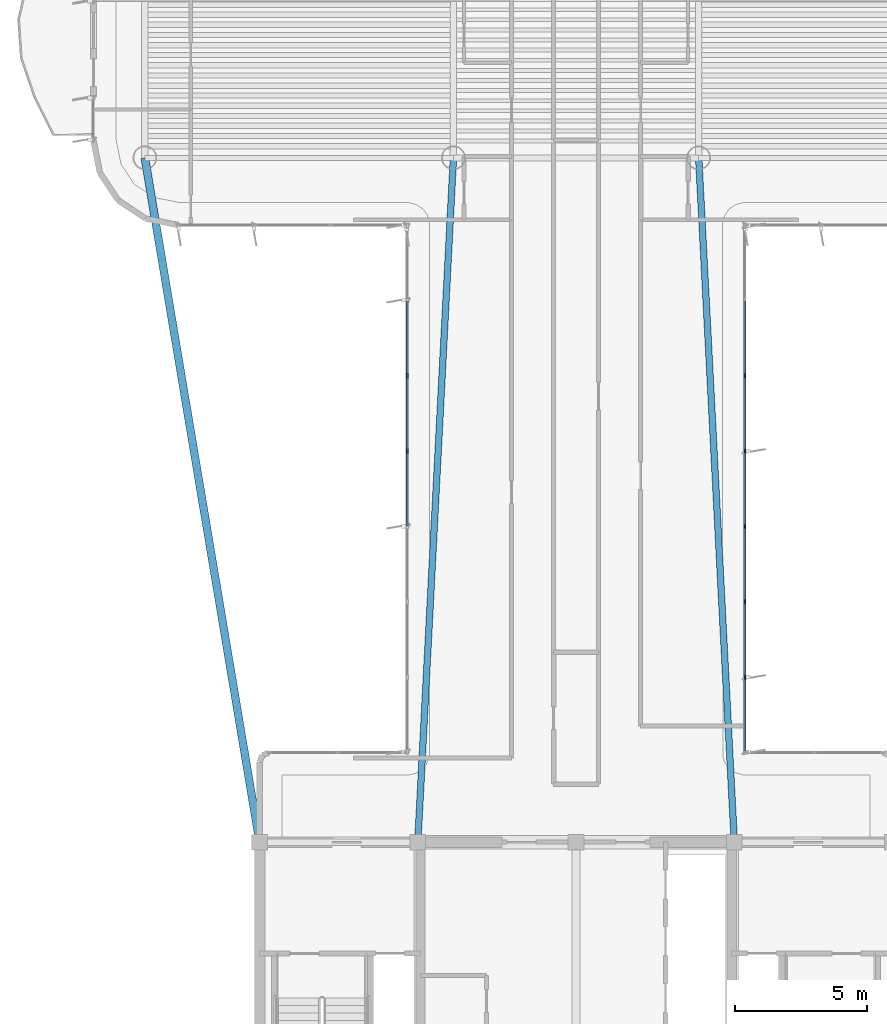
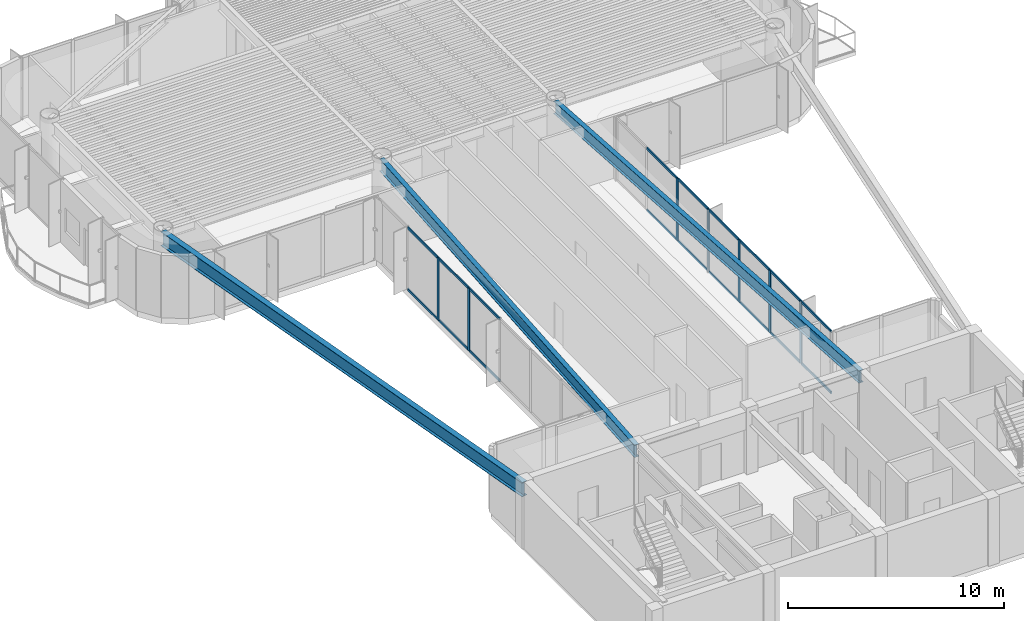
# One storey, part 3 of 16: 25 members, 3 beams, 2 elements without a shape of their own.
"""IFC4 building model written with IfcOpenShell, lengths in metres."""

from ifc_helpers import new_model, si_unit, direction, frame, origin, origin_2d, place, context, subcontext, project, spatial, rectangle, i_section, extrude, source, transform, mapped, material, layer, layer_set, material_profile, profile_set, type_object, element, aggregate, save


model = new_model("IFC4")

# Units and contexts
model_context = context("Model", 3, precision=1e-05, world=origin(), true_north=direction((0.0, 1.0)))
body_context = subcontext(model_context, "Body", "Model", "MODEL_VIEW")
ifc_project = project(units=[si_unit("LENGTHUNIT", "METRE"), si_unit("AREAUNIT", "SQUARE_METRE"), si_unit("VOLUMEUNIT", "CUBIC_METRE"), si_unit("PLANEANGLEUNIT", "RADIAN"), si_unit("MASSUNIT", "GRAM", prefix="KILO")], contexts=[model_context])

# Site, building, storey
site_placement = place(None, origin())
site = spatial("IfcSite", under=ifc_project, at=site_placement, CompositionType="ELEMENT")
building_placement = place(site_placement, origin())
building = spatial("IfcBuilding", under=site, at=building_placement, Name="Brelvock Crest Care Tower", CompositionType="ELEMENT")
storey_placement = place(building_placement, frame((0.0, 0.0, 223.02001953125)))
storey = spatial("IfcBuildingStorey", under=building, at=storey_placement, Name="L56", CompositionType="ELEMENT", Elevation=223.02001953125)

# Beams
ifc_material_1 = material(Name="Steel Grade 350", Category="steel")
ifc_material_profile_1 = material_profile(ifc_material_1, i_section(OverallWidth=0.25, OverallDepth=0.699951171875, WebThickness=0.011962890625, FlangeThickness=0.02001953125, at=origin_2d()), Name="700WB150")
ifc_profile_set_1 = profile_set([ifc_material_profile_1], Name="Steel Grade 350")
beam_type_1 = type_object("IfcBeamType", Name="BM-G4", PredefinedType="BEAM", material=ifc_profile_set_1)
shared_shape_1 = source(origin(), body_context, "Body", "SweptSolid", [
    extrude(i_section(OverallWidth=0.25, OverallDepth=0.699951171875, WebThickness=0.011962890625, FlangeThickness=0.02001953125, at=origin_2d()), origin(), (0.0, 0.0, 1.0), 25.985107421875),
])
for number, where, z_axis, x_axis, name in (
    (1, (30.0, 18.0, 3.179931640625), (0.051956711656, 0.998649337913, 0.0), (-0.998649337913, 0.051956711656, 0.0), "BM-THRW-L56"),
    (2, (42.0, 18.0, 3.179931640625), (-0.051956711656, 0.998649337913, 0.0), (-0.998649337913, -0.051956711656, 0.0), "BM-THRE-L56"),
):
    element("IfcBeam", number, at=place(storey_placement, frame(where, z_axis=z_axis, x_axis=x_axis)), inside=storey, type_object=beam_type_1, Name=name, PredefinedType="BEAM", context=body_context, shape_type="MappedRepresentation", body=[
        mapped(shared_shape_1, transform((0.0, 0.0, 0.0), x_axis=(1.0, 0.0, 0.0), y_axis=(0.0, 1.0, 0.0), z_axis=(0.0, 0.0, 1.0), scale=1.0)),
    ])
ifc_material_profile_2 = material_profile(ifc_material_1, i_section(OverallWidth=0.300048828125, OverallDepth=0.800048828125, WebThickness=0.013916015625, FlangeThickness=0.02197265625, at=origin_2d()), Name="800WB192")
ifc_profile_set_2 = profile_set([ifc_material_profile_2], Name="Steel Grade 350")
beam_type_2 = type_object("IfcBeamType", Name="BM-G5", PredefinedType="BEAM", material=ifc_profile_set_2)
shared_shape_2 = source(origin(), body_context, "Body", "SweptSolid", [
    extrude(i_section(OverallWidth=0.300048828125, OverallDepth=0.800048828125, WebThickness=0.013916015625, FlangeThickness=0.02197265625, at=origin_2d()), origin(), (0.0, 0.0, 1.0), 26.31201171875),
])
beam_placement = place(storey_placement, frame((24.0, 18.0, 3.1298828125), z_axis=(-0.165327282709, 0.986238758918, 0.0), x_axis=(-0.986238758918, -0.165327282709, 0.0)))
element("IfcBeam", 3, at=beam_placement, inside=storey, type_object=beam_type_2, Name="BM-THRO-W-L56", PredefinedType="BEAM", context=body_context, shape_type="MappedRepresentation", body=[
    mapped(shared_shape_2, transform((0.0, 0.0, 0.0), x_axis=(1.0, 0.0, 0.0), y_axis=(0.0, 1.0, 0.0), z_axis=(0.0, 0.0, 1.0), scale=1.0)),
])

# Curtain wall, members
ifc_material_2 = material(Name="Dark Glass Double Glazed Low-E", Category="glass")
ifc_layer = layer(ifc_material_2, 0.239990234375, Name="CWS-5")
ifc_layer_set = layer_set([ifc_layer], Name="Dark Glass Double Glazed Low-E")
curtain_wall_type = type_object("IfcCurtainWallType", Name="CWS-5", PredefinedType="NOTDEFINED", material=ifc_layer_set)
curtain_wall_1_placement = place(storey_placement, origin())
curtain_wall_1 = element("IfcCurtainWall", 4, at=curtain_wall_1_placement, inside=storey, type_object=curtain_wall_type, Name="L56 Curtain Wall E11", PredefinedType="NOTDEFINED")
ifc_material_3 = material(Name="Aluminium 6063-T6", Category="aluminium")
ifc_material_profile_3 = material_profile(ifc_material_3, rectangle(XDim=0.06005859375, YDim=0.179931640625, at=origin_2d()), Name="ALU60x180")
ifc_profile_set_3 = profile_set([ifc_material_profile_3], Name="Aluminium 6063-T6")
member_type_1 = type_object("IfcMemberType", Name="CWM-2", PredefinedType="MULLION", material=ifc_profile_set_3)
shared_shape_3 = source(origin(), body_context, "Body", "SweptSolid", [
    extrude(rectangle(XDim=0.06005859375, YDim=0.179931640625, at=origin_2d()), origin(), (0.0, 0.0, 1.0), 3.530029296875),
])
member_1_placement = place(storey_placement, frame((29.60009765625, 32.82861328125, 0.0), z_axis=(0.0, 0.0, 1.0), x_axis=(-1.0, 0.0, 0.0)))
member_1 = element("IfcMember", 5, at=member_1_placement, type_object=member_type_1, Name="CW-5 mullion 5", PredefinedType="MULLION", context=body_context, shape_type="MappedRepresentation", body=[
    mapped(shared_shape_3, transform((0.0, 0.0, 0.0), x_axis=(1.0, 0.0, 0.0), y_axis=(0.0, 1.0, 0.0), z_axis=(0.0, 0.0, 1.0), scale=1.0)),
])
member_2_placement = place(storey_placement, frame((29.60009765625, 35.685791015625, 0.0), z_axis=(0.0, 0.0, 1.0), x_axis=(-1.0, 0.0, 0.0)))
member_2 = element("IfcMember", 6, at=member_2_placement, type_object=member_type_1, Name="CW-5 mullion 6", PredefinedType="MULLION", context=body_context, shape_type="MappedRepresentation", body=[
    mapped(shared_shape_3, transform((0.0, 0.0, 0.0), x_axis=(1.0, 0.0, 0.0), y_axis=(0.0, 1.0, 0.0), z_axis=(0.0, 0.0, 1.0), scale=1.0)),
])

curtain_wall_2_placement = place(storey_placement, origin())
curtain_wall_2 = element("IfcCurtainWall", 7, at=curtain_wall_2_placement, inside=storey, type_object=curtain_wall_type, Name="L56 Curtain Wall E45", PredefinedType="NOTDEFINED")
member_3_placement = place(storey_placement, frame((42.39990234375, 35.685791015625, 0.0), z_axis=(0.0, 0.0, 1.0), x_axis=(1.0, 0.0, 0.0)))
member_3 = element("IfcMember", 8, at=member_3_placement, type_object=member_type_1, Name="CW-5 mullion 3", PredefinedType="MULLION", context=body_context, shape_type="MappedRepresentation", body=[
    mapped(shared_shape_3, transform((0.0, 0.0, 0.0), x_axis=(1.0, 0.0, 0.0), y_axis=(0.0, 1.0, 0.0), z_axis=(0.0, 0.0, 1.0), scale=1.0)),
])
member_4_placement = place(storey_placement, frame((42.39990234375, 32.82861328125, 0.0), z_axis=(0.0, 0.0, 1.0), x_axis=(1.0, 0.0, 0.0)))
member_4 = element("IfcMember", 9, at=member_4_placement, type_object=member_type_1, Name="CW-5 mullion 4", PredefinedType="MULLION", context=body_context, shape_type="MappedRepresentation", body=[
    mapped(shared_shape_3, transform((0.0, 0.0, 0.0), x_axis=(1.0, 0.0, 0.0), y_axis=(0.0, 1.0, 0.0), z_axis=(0.0, 0.0, 1.0), scale=1.0)),
])
member_5_placement = place(storey_placement, frame((42.39990234375, 29.971435546875, 0.0), z_axis=(0.0, 0.0, 1.0), x_axis=(1.0, 0.0, 0.0)))
member_5 = element("IfcMember", 10, at=member_5_placement, type_object=member_type_1, Name="CW-5 mullion 5", PredefinedType="MULLION", context=body_context, shape_type="MappedRepresentation", body=[
    mapped(shared_shape_3, transform((0.0, 0.0, 0.0), x_axis=(1.0, 0.0, 0.0), y_axis=(0.0, 1.0, 0.0), z_axis=(0.0, 0.0, 1.0), scale=1.0)),
])
member_6_placement = place(storey_placement, frame((42.39990234375, 27.1142578125, 0.0), z_axis=(0.0, 0.0, 1.0), x_axis=(1.0, 0.0, 0.0)))
member_6 = element("IfcMember", 11, at=member_6_placement, type_object=member_type_1, Name="CW-5 mullion 6", PredefinedType="MULLION", context=body_context, shape_type="MappedRepresentation", body=[
    mapped(shared_shape_3, transform((0.0, 0.0, 0.0), x_axis=(1.0, 0.0, 0.0), y_axis=(0.0, 1.0, 0.0), z_axis=(0.0, 0.0, 1.0), scale=1.0)),
])
member_7_placement = place(storey_placement, frame((42.39990234375, 24.257080078125, 0.0), z_axis=(0.0, 0.0, 1.0), x_axis=(1.0, 0.0, 0.0)))
member_7 = element("IfcMember", 12, at=member_7_placement, type_object=member_type_1, Name="CW-5 mullion 7", PredefinedType="MULLION", context=body_context, shape_type="MappedRepresentation", body=[
    mapped(shared_shape_3, transform((0.0, 0.0, 0.0), x_axis=(1.0, 0.0, 0.0), y_axis=(0.0, 1.0, 0.0), z_axis=(0.0, 0.0, 1.0), scale=1.0)),
])
ifc_material_profile_4 = material_profile(ifc_material_3, rectangle(XDim=0.06005859375, YDim=0.139892578125, at=origin_2d()), Name="ALU60x140")
ifc_profile_set_4 = profile_set([ifc_material_profile_4], Name="Aluminium 6063-T6")
member_type_2 = type_object("IfcMemberType", Name="CWT-2", PredefinedType="USERDEFINED", material=ifc_profile_set_4)
shared_shape_4 = source(origin(), body_context, "Body", "SweptSolid", [
    extrude(rectangle(XDim=0.06005859375, YDim=0.139892578125, at=origin_2d()), origin(), (0.0, 0.0, 1.0), 2.76708984375),
])
member_8_placement = place(storey_placement, frame((42.39990234375, 24.22705078125, 0.030029296875), z_axis=(0.0, -1.0, 0.0), x_axis=(1.0, 0.0, 0.0)))
member_8 = element("IfcMember", 13, at=member_8_placement, type_object=member_type_2, Name="CW-5 transom 7.1", ObjectType="TRANSOM", PredefinedType="USERDEFINED", context=body_context, shape_type="MappedRepresentation", body=[
    mapped(shared_shape_4, transform((0.0, 0.0, 0.0), x_axis=(1.0, 0.0, 0.0), y_axis=(0.0, 1.0, 0.0), z_axis=(0.0, 0.0, 1.0), scale=1.0)),
])
member_9_placement = place(storey_placement, frame((42.39990234375, 24.22705078125, 3.5), z_axis=(0.0, -1.0, 0.0), x_axis=(1.0, 0.0, 0.0)))
member_9 = element("IfcMember", 14, at=member_9_placement, type_object=member_type_2, Name="CW-5 transom 7.2", ObjectType="TRANSOM", PredefinedType="USERDEFINED", context=body_context, shape_type="MappedRepresentation", body=[
    mapped(shared_shape_4, transform((0.0, 0.0, 0.0), x_axis=(1.0, 0.0, 0.0), y_axis=(0.0, 1.0, 0.0), z_axis=(0.0, 0.0, 1.0), scale=1.0)),
])

# Member
shared_shape_5 = source(origin(), body_context, "Body", "SweptSolid", [
    extrude(rectangle(XDim=0.06005859375, YDim=0.139892578125, at=origin_2d()), origin(), (0.0, 0.0, 1.0), 2.797119140625),
])
member_10_placement = place(storey_placement, frame((29.60009765625, 30.00146484375, 0.030029296875), z_axis=(0.0, 1.0, 0.0), x_axis=(-1.0, 0.0, 0.0)))
member_10 = element("IfcMember", 15, at=member_10_placement, type_object=member_type_2, Name="CW-5 transom 4.1", ObjectType="TRANSOM", PredefinedType="USERDEFINED", context=body_context, shape_type="MappedRepresentation", body=[
    mapped(shared_shape_5, transform((0.0, 0.0, 0.0), x_axis=(1.0, 0.0, 0.0), y_axis=(0.0, 1.0, 0.0), z_axis=(0.0, 0.0, 1.0), scale=1.0)),
])

member_11_placement = place(storey_placement, frame((29.60009765625, 30.00146484375, 3.5), z_axis=(0.0, 1.0, 0.0), x_axis=(-1.0, 0.0, 0.0)))
member_11 = element("IfcMember", 16, at=member_11_placement, type_object=member_type_2, Name="CW-5 transom 4.2", ObjectType="TRANSOM", PredefinedType="USERDEFINED", context=body_context, shape_type="MappedRepresentation", body=[
    mapped(shared_shape_5, transform((0.0, 0.0, 0.0), x_axis=(1.0, 0.0, 0.0), y_axis=(0.0, 1.0, 0.0), z_axis=(0.0, 0.0, 1.0), scale=1.0)),
])

member_12_placement = place(storey_placement, frame((29.60009765625, 32.858642578125, 0.030029296875), z_axis=(0.0, 1.0, 0.0), x_axis=(-1.0, 0.0, 0.0)))
member_12 = element("IfcMember", 17, at=member_12_placement, type_object=member_type_2, Name="CW-5 transom 5.1", ObjectType="TRANSOM", PredefinedType="USERDEFINED", context=body_context, shape_type="MappedRepresentation", body=[
    mapped(shared_shape_5, transform((0.0, 0.0, 0.0), x_axis=(1.0, 0.0, 0.0), y_axis=(0.0, 1.0, 0.0), z_axis=(0.0, 0.0, 1.0), scale=1.0)),
])

member_13_placement = place(storey_placement, frame((29.60009765625, 32.858642578125, 3.5), z_axis=(0.0, 1.0, 0.0), x_axis=(-1.0, 0.0, 0.0)))
member_13 = element("IfcMember", 18, at=member_13_placement, type_object=member_type_2, Name="CW-5 transom 5.2", ObjectType="TRANSOM", PredefinedType="USERDEFINED", context=body_context, shape_type="MappedRepresentation", body=[
    mapped(shared_shape_5, transform((0.0, 0.0, 0.0), x_axis=(1.0, 0.0, 0.0), y_axis=(0.0, 1.0, 0.0), z_axis=(0.0, 0.0, 1.0), scale=1.0)),
])

member_14_placement = place(storey_placement, frame((29.60009765625, 35.7158203125, 0.030029296875), z_axis=(0.0, 1.0, 0.0), x_axis=(-1.0, 0.0, 0.0)))
member_14 = element("IfcMember", 19, at=member_14_placement, type_object=member_type_2, Name="CW-5 transom 6.1", ObjectType="TRANSOM", PredefinedType="USERDEFINED", context=body_context, shape_type="MappedRepresentation", body=[
    mapped(shared_shape_5, transform((0.0, 0.0, 0.0), x_axis=(1.0, 0.0, 0.0), y_axis=(0.0, 1.0, 0.0), z_axis=(0.0, 0.0, 1.0), scale=1.0)),
])

member_15_placement = place(storey_placement, frame((29.60009765625, 35.7158203125, 3.5), z_axis=(0.0, 1.0, 0.0), x_axis=(-1.0, 0.0, 0.0)))
member_15 = element("IfcMember", 20, at=member_15_placement, type_object=member_type_2, Name="CW-5 transom 6.2", ObjectType="TRANSOM", PredefinedType="USERDEFINED", context=body_context, shape_type="MappedRepresentation", body=[
    mapped(shared_shape_5, transform((0.0, 0.0, 0.0), x_axis=(1.0, 0.0, 0.0), y_axis=(0.0, 1.0, 0.0), z_axis=(0.0, 0.0, 1.0), scale=1.0)),
])

aggregate(curtain_wall_1, [member_1, member_2, member_10, member_11, member_12, member_13, member_14, member_15])

member_16_placement = place(storey_placement, frame((42.39990234375, 38.512939453125, 0.030029296875), z_axis=(0.0, -1.0, 0.0), x_axis=(1.0, 0.0, 0.0)))
member_16 = element("IfcMember", 21, at=member_16_placement, type_object=member_type_2, Name="CW-5 transom 2.1", ObjectType="TRANSOM", PredefinedType="USERDEFINED", context=body_context, shape_type="MappedRepresentation", body=[
    mapped(shared_shape_5, transform((0.0, 0.0, 0.0), x_axis=(1.0, 0.0, 0.0), y_axis=(0.0, 1.0, 0.0), z_axis=(0.0, 0.0, 1.0), scale=1.0)),
])

member_17_placement = place(storey_placement, frame((42.39990234375, 38.512939453125, 3.5), z_axis=(0.0, -1.0, 0.0), x_axis=(1.0, 0.0, 0.0)))
member_17 = element("IfcMember", 22, at=member_17_placement, type_object=member_type_2, Name="CW-5 transom 2.2", ObjectType="TRANSOM", PredefinedType="USERDEFINED", context=body_context, shape_type="MappedRepresentation", body=[
    mapped(shared_shape_5, transform((0.0, 0.0, 0.0), x_axis=(1.0, 0.0, 0.0), y_axis=(0.0, 1.0, 0.0), z_axis=(0.0, 0.0, 1.0), scale=1.0)),
])

member_18_placement = place(storey_placement, frame((42.39990234375, 35.65576171875, 0.030029296875), z_axis=(0.0, -1.0, 0.0), x_axis=(1.0, 0.0, 0.0)))
member_18 = element("IfcMember", 23, at=member_18_placement, type_object=member_type_2, Name="CW-5 transom 3.1", ObjectType="TRANSOM", PredefinedType="USERDEFINED", context=body_context, shape_type="MappedRepresentation", body=[
    mapped(shared_shape_5, transform((0.0, 0.0, 0.0), x_axis=(1.0, 0.0, 0.0), y_axis=(0.0, 1.0, 0.0), z_axis=(0.0, 0.0, 1.0), scale=1.0)),
])

member_19_placement = place(storey_placement, frame((42.39990234375, 35.65576171875, 3.5), z_axis=(0.0, -1.0, 0.0), x_axis=(1.0, 0.0, 0.0)))
member_19 = element("IfcMember", 24, at=member_19_placement, type_object=member_type_2, Name="CW-5 transom 3.2", ObjectType="TRANSOM", PredefinedType="USERDEFINED", context=body_context, shape_type="MappedRepresentation", body=[
    mapped(shared_shape_5, transform((0.0, 0.0, 0.0), x_axis=(1.0, 0.0, 0.0), y_axis=(0.0, 1.0, 0.0), z_axis=(0.0, 0.0, 1.0), scale=1.0)),
])

member_20_placement = place(storey_placement, frame((42.39990234375, 32.798583984375, 0.030029296875), z_axis=(0.0, -1.0, 0.0), x_axis=(1.0, 0.0, 0.0)))
member_20 = element("IfcMember", 25, at=member_20_placement, type_object=member_type_2, Name="CW-5 transom 4.1", ObjectType="TRANSOM", PredefinedType="USERDEFINED", context=body_context, shape_type="MappedRepresentation", body=[
    mapped(shared_shape_5, transform((0.0, 0.0, 0.0), x_axis=(1.0, 0.0, 0.0), y_axis=(0.0, 1.0, 0.0), z_axis=(0.0, 0.0, 1.0), scale=1.0)),
])

member_21_placement = place(storey_placement, frame((42.39990234375, 32.798583984375, 3.5), z_axis=(0.0, -1.0, 0.0), x_axis=(1.0, 0.0, 0.0)))
member_21 = element("IfcMember", 26, at=member_21_placement, type_object=member_type_2, Name="CW-5 transom 4.2", ObjectType="TRANSOM", PredefinedType="USERDEFINED", context=body_context, shape_type="MappedRepresentation", body=[
    mapped(shared_shape_5, transform((0.0, 0.0, 0.0), x_axis=(1.0, 0.0, 0.0), y_axis=(0.0, 1.0, 0.0), z_axis=(0.0, 0.0, 1.0), scale=1.0)),
])

member_22_placement = place(storey_placement, frame((42.39990234375, 29.94140625, 0.030029296875), z_axis=(0.0, -1.0, 0.0), x_axis=(1.0, 0.0, 0.0)))
member_22 = element("IfcMember", 27, at=member_22_placement, type_object=member_type_2, Name="CW-5 transom 5.1", ObjectType="TRANSOM", PredefinedType="USERDEFINED", context=body_context, shape_type="MappedRepresentation", body=[
    mapped(shared_shape_5, transform((0.0, 0.0, 0.0), x_axis=(1.0, 0.0, 0.0), y_axis=(0.0, 1.0, 0.0), z_axis=(0.0, 0.0, 1.0), scale=1.0)),
])

member_23_placement = place(storey_placement, frame((42.39990234375, 29.94140625, 3.5), z_axis=(0.0, -1.0, 0.0), x_axis=(1.0, 0.0, 0.0)))
member_23 = element("IfcMember", 28, at=member_23_placement, type_object=member_type_2, Name="CW-5 transom 5.2", ObjectType="TRANSOM", PredefinedType="USERDEFINED", context=body_context, shape_type="MappedRepresentation", body=[
    mapped(shared_shape_5, transform((0.0, 0.0, 0.0), x_axis=(1.0, 0.0, 0.0), y_axis=(0.0, 1.0, 0.0), z_axis=(0.0, 0.0, 1.0), scale=1.0)),
])

member_24_placement = place(storey_placement, frame((42.39990234375, 27.084228515625, 0.030029296875), z_axis=(0.0, -1.0, 0.0), x_axis=(1.0, 0.0, 0.0)))
member_24 = element("IfcMember", 29, at=member_24_placement, type_object=member_type_2, Name="CW-5 transom 6.1", ObjectType="TRANSOM", PredefinedType="USERDEFINED", context=body_context, shape_type="MappedRepresentation", body=[
    mapped(shared_shape_5, transform((0.0, 0.0, 0.0), x_axis=(1.0, 0.0, 0.0), y_axis=(0.0, 1.0, 0.0), z_axis=(0.0, 0.0, 1.0), scale=1.0)),
])

member_25_placement = place(storey_placement, frame((42.39990234375, 27.084228515625, 3.5), z_axis=(0.0, -1.0, 0.0), x_axis=(1.0, 0.0, 0.0)))
member_25 = element("IfcMember", 30, at=member_25_placement, type_object=member_type_2, Name="CW-5 transom 6.2", ObjectType="TRANSOM", PredefinedType="USERDEFINED", context=body_context, shape_type="MappedRepresentation", body=[
    mapped(shared_shape_5, transform((0.0, 0.0, 0.0), x_axis=(1.0, 0.0, 0.0), y_axis=(0.0, 1.0, 0.0), z_axis=(0.0, 0.0, 1.0), scale=1.0)),
])

aggregate(curtain_wall_2, [member_3, member_4, member_5, member_6, member_7, member_16, member_17, member_18, member_19, member_20, member_21, member_22, member_23, member_24, member_25, member_8, member_9])

save(model, "model.ifc")
